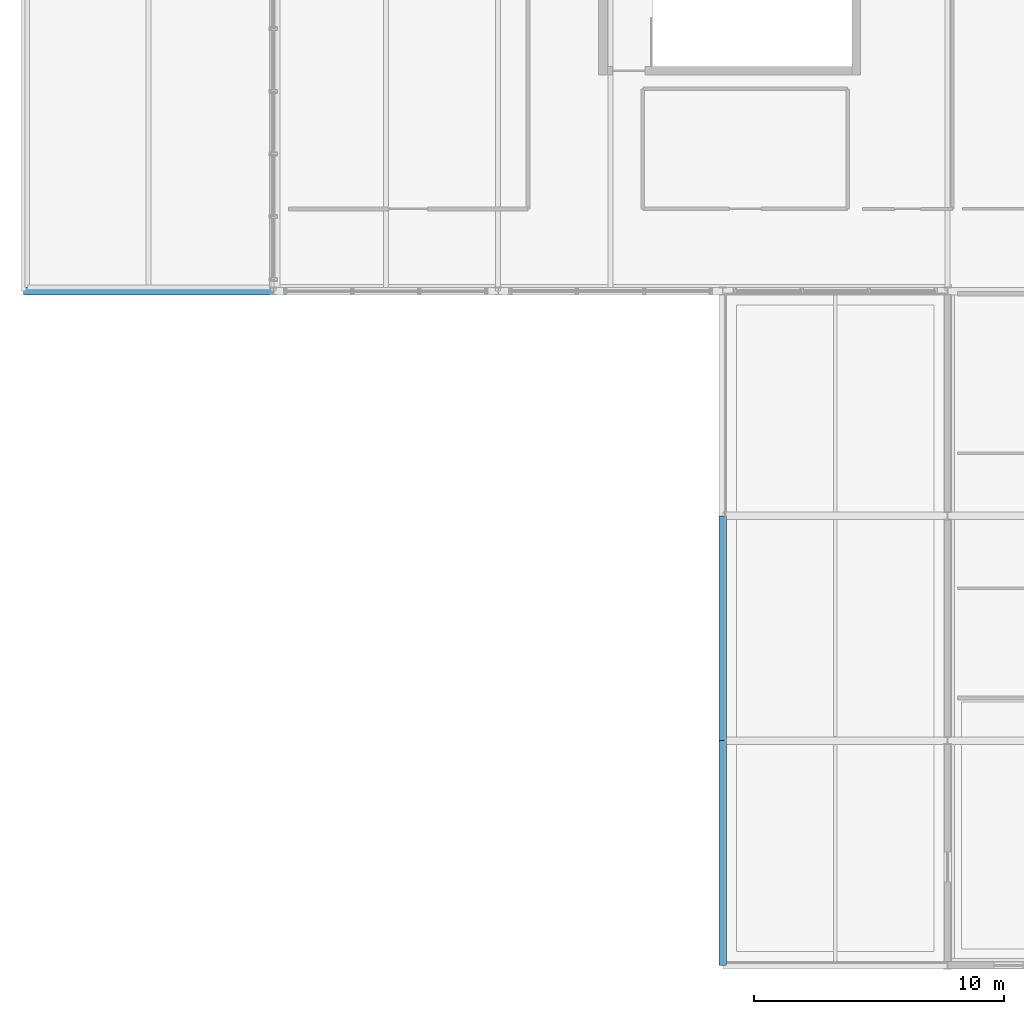
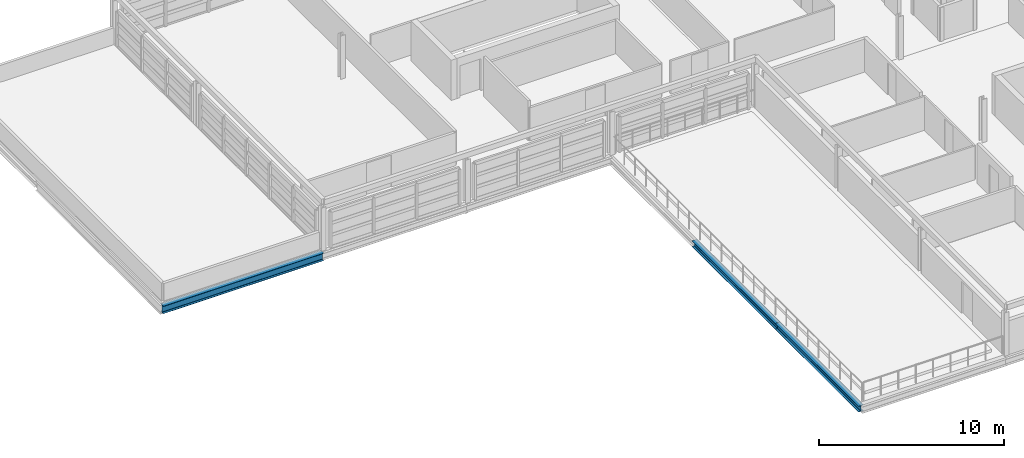
# One storey, part 5 of 27: 3 beams.
"""IFC4 building model written with IfcOpenShell, lengths in metres."""

from ifc_helpers import new_model, si_unit, direction, frame, origin, origin_2d, place, context, subcontext, project, spatial, i_section, extrude, material, material_profile, profile_set, type_object, element, save


model = new_model("IFC4")

# Units and contexts
model_context = context("Model", 3, precision=1e-05, world=origin(), true_north=direction((0.0, 1.0)))
body_context = subcontext(model_context, "Body", "Model", "MODEL_VIEW")
ifc_project = project(units=[si_unit("LENGTHUNIT", "METRE"), si_unit("AREAUNIT", "SQUARE_METRE"), si_unit("VOLUMEUNIT", "CUBIC_METRE"), si_unit("PLANEANGLEUNIT", "RADIAN"), si_unit("MASSUNIT", "GRAM", prefix="KILO")], contexts=[model_context])

# Site, building, storey
site_placement = place(None, origin())
site = spatial("IfcSite", under=ifc_project, at=site_placement, CompositionType="ELEMENT")
building_placement = place(site_placement, origin())
building = spatial("IfcBuilding", under=site, at=building_placement, Name="Chuanluo Vaults Station", CompositionType="ELEMENT")
storey_placement = place(building_placement, frame((0.0, 0.0, 20.800048828125)))
storey = spatial("IfcBuildingStorey", under=building, at=storey_placement, Name="L05", CompositionType="ELEMENT", Elevation=20.800048828125)

# Beams
ifc_material_1 = material(Name="Steel Q355C", Category="steel")
ifc_material_profile_1 = material_profile(ifc_material_1, i_section(OverallWidth=0.300048828125, OverallDepth=0.389892578125, WebThickness=0.010009765625, FlangeThickness=0.01611328125, FilletRadius=0.02001953125, at=origin_2d()))
ifc_profile_set_1 = profile_set([ifc_material_profile_1], Name="Steel Q355C")
beam_type_1 = type_object("IfcBeamType", Name="BM-GRD-400", PredefinedType="BEAM", material=ifc_profile_set_1)
for number, where, z_axis, x_axis, name in (
    (1, (154.0, 76.5, -0.425048828125), (0.0, 1.0, 0.0), (-1.0, 0.0, 0.0), "Floor girder BM:GY:L05:0991"),
    (2, (154.0, 85.5, -0.425048828125), (0.0, 1.0, 0.0), (-1.0, 0.0, 0.0), "Floor girder BM:GY:L05:0992"),
):
    element("IfcBeam", number, at=place(storey_placement, frame(where, z_axis=z_axis, x_axis=x_axis)), inside=storey, type_object=beam_type_1, Name=name, PredefinedType="BEAM", context=body_context, shape_type="SweptSolid", body=[
        extrude(i_section(OverallWidth=0.300048828125, OverallDepth=0.389892578125, WebThickness=0.010009765625, FlangeThickness=0.01611328125, FilletRadius=0.02001953125, at=origin_2d()), origin(), (0.0, 0.0, 1.0), 9.0),
    ])
ifc_material_2 = material(Name="Steel Q355C", Category="steel")
ifc_material_profile_2 = material_profile(ifc_material_2, i_section(OverallWidth=0.300048828125, OverallDepth=0.5, WebThickness=0.010986328125, FlangeThickness=0.01806640625, FilletRadius=0.02001953125, at=origin_2d()))
ifc_profile_set_2 = profile_set([ifc_material_profile_2], Name="Steel Q355C")
beam_type_2 = type_object("IfcBeamType", Name="BM-GRD-500", PredefinedType="USERDEFINED", material=ifc_profile_set_2)
beam_placement = place(storey_placement, frame((126.0, 103.5, -0.4150390625), z_axis=(1.0, 0.0, 0.0), x_axis=(0.0, 1.0, 0.0)))
element("IfcBeam", 3, at=beam_placement, inside=storey, type_object=beam_type_2, Name="Floor girder BM:GX:L05:0965", ObjectType="GIRDER", PredefinedType="USERDEFINED", context=body_context, shape_type="SweptSolid", body=[
    extrude(i_section(OverallWidth=0.300048828125, OverallDepth=0.5, WebThickness=0.010986328125, FlangeThickness=0.01806640625, FilletRadius=0.02001953125, at=origin_2d()), origin(), (0.0, 0.0, 1.0), 10.0),
])

save(model, "model.ifc")
